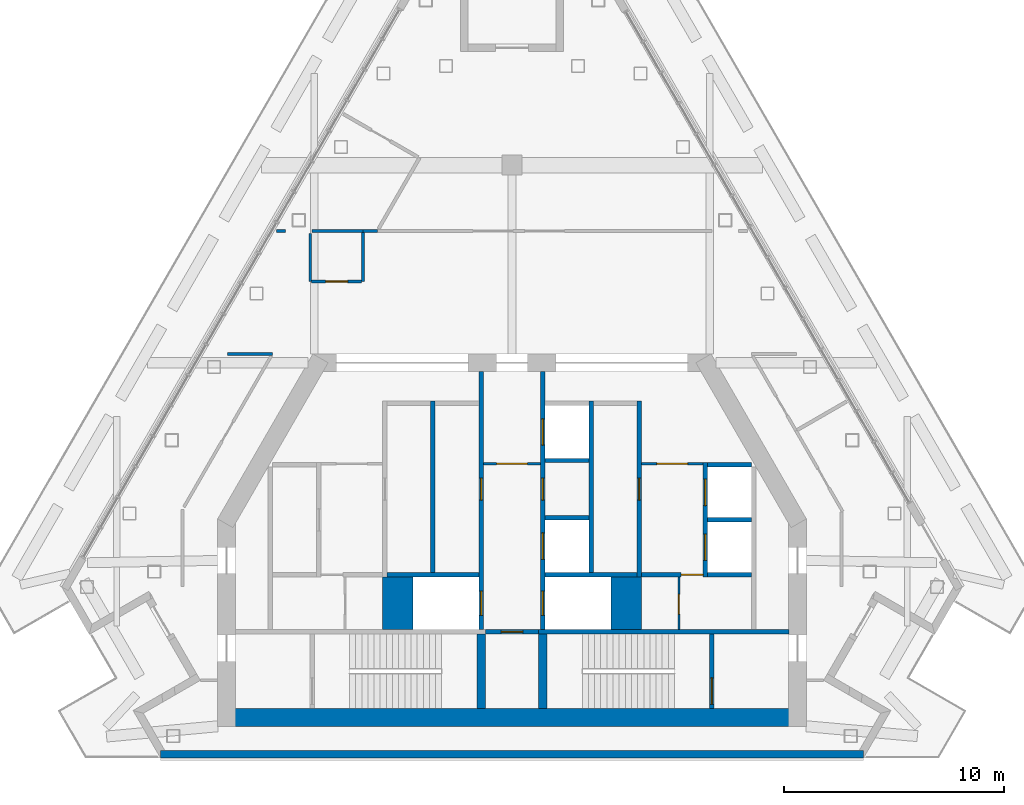
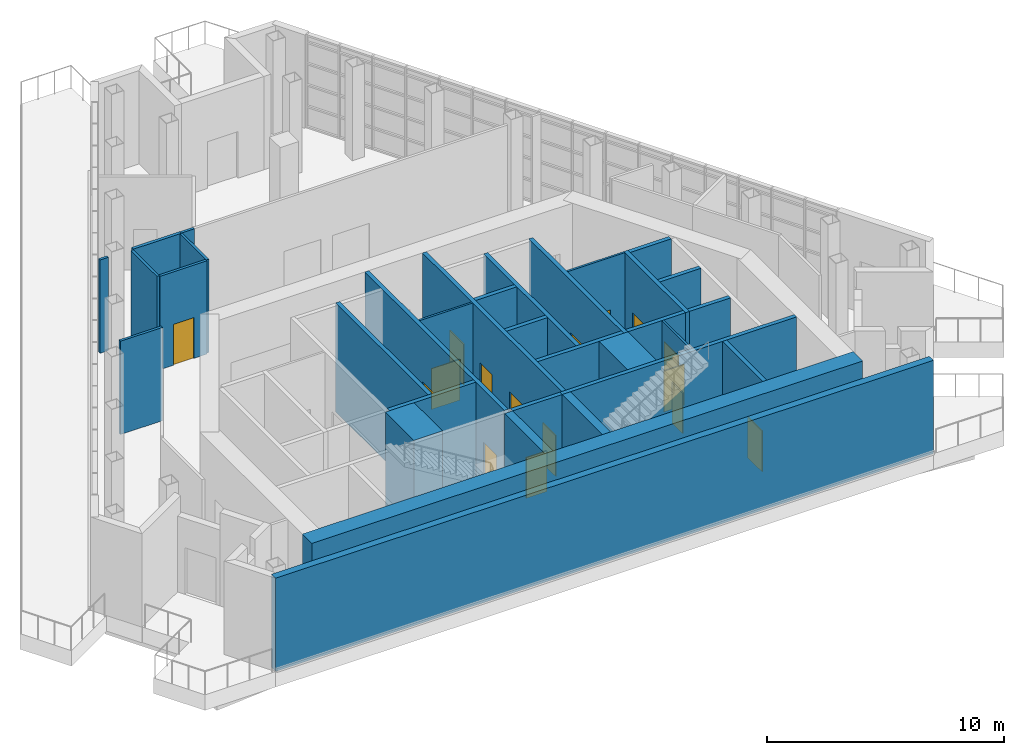
# One storey, part 11 of 15: 33 walls, 16 doors, 16 openings.
"""IFC4 building model written with IfcOpenShell, lengths in metres."""

import ifcopenshell
import ifcopenshell.guid

model = None  # the IFC model being written
_history = None  # IfcOwnerHistory: only IFC2X3 demands one
_inside = {}  # id of a spatial element -> (the spatial element, [elements in it])
_under = {}  # id of a project, library or spatial element -> (it, [spatial elements below it])
_declared = {}  # id of a project -> (the project, [libraries it declares])
_typed = {}  # id of a type object -> (the type object, [elements of that type])
_made_of = {}  # id of a material, layer set ... -> (it, [elements and type objects made of it])


def new_model(schema):
    """Start an empty IFC model of exactly this schema.

    Asked for "IFC4X3", IfcOpenShell would pick the latest addendum, in which some entities
    have other attributes; the version numbers below select the first issue.
    IFC2X3 requires an IfcOwnerHistory on every rooted entity: one is made here for all.
    """
    global model, _history
    if schema == "IFC4X3":
        model = ifcopenshell.file(schema_version=(4, 3, 0, 0))
    else:
        model = ifcopenshell.file(schema=schema)
    _inside.clear()
    _under.clear()
    _declared.clear()
    _typed.clear()
    _made_of.clear()
    _history = None
    if model.schema == "IFC2X3":
        org = make("IfcOrganization", Name="unknown")
        user = make(
            "IfcPersonAndOrganization",
            ThePerson=make("IfcPerson", FamilyName="unknown"),
            TheOrganization=org,
        )
        app = make(
            "IfcApplication",
            ApplicationDeveloper=org,
            Version="unknown",
            ApplicationFullName="unknown",
            ApplicationIdentifier="unknown",
        )
        _history = make(
            "IfcOwnerHistory",
            OwningUser=user,
            OwningApplication=app,
            ChangeAction="ADDED",
            CreationDate=0,
        )
    return model


def make(cls, **values):
    """One entity of the class cls with the attributes given. An attribute that is None is left unset."""
    return model.create_entity(
        cls, **{name: value for name, value in values.items() if value is not None}
    )


def rooted(cls, **values):
    """An entity with a GlobalId (a new one), such as an element, a storey or a relation."""
    return make(cls, GlobalId=ifcopenshell.guid.new(), OwnerHistory=_history, **values)


def si_unit(unit_type, name, prefix=None):
    """IfcSIUnit, for example si_unit("LENGTHUNIT", "METRE", prefix="MILLI")."""
    return make("IfcSIUnit", UnitType=unit_type, Prefix=prefix, Name=name)


def assignment(units):
    """IfcUnitAssignment: the units of a project."""
    return None if units is None else make("IfcUnitAssignment", Units=units)


def point(xyz):
    """IfcCartesianPoint."""
    return None if xyz is None else make("IfcCartesianPoint", Coordinates=xyz)


def direction(xyz):
    """IfcDirection."""
    return None if xyz is None else make("IfcDirection", DirectionRatios=xyz)


def frame(location, z_axis=None, x_axis=None):
    """IfcAxis2Placement3D, a coordinate frame: its origin and axes. An axis left out is left unset."""
    return make(
        "IfcAxis2Placement3D",
        Location=point(location),
        Axis=direction(z_axis),
        RefDirection=direction(x_axis),
    )


def frame_2d(location, x_axis=None):
    """IfcAxis2Placement2D, a coordinate frame in the plane: its origin and x axis."""
    return make(
        "IfcAxis2Placement2D", Location=point(location), RefDirection=direction(x_axis)
    )


def origin():
    """The frame at (0, 0, 0) with its axes left unset."""
    return frame((0.0, 0.0, 0.0))


def place(relative_to, where):
    """IfcLocalPlacement: puts the frame where relative to a parent placement (None: the world)."""
    return make(
        "IfcLocalPlacement", PlacementRelTo=relative_to, RelativePlacement=where
    )


def context(
    kind, dimensions, precision=None, world=None, true_north=None, identifier=None
):
    """IfcGeometricRepresentationContext, for example the 3D "Model" context."""
    return make(
        "IfcGeometricRepresentationContext",
        ContextIdentifier=identifier,
        ContextType=kind,
        CoordinateSpaceDimension=dimensions,
        Precision=precision,
        WorldCoordinateSystem=world,
        TrueNorth=true_north,
    )


def subcontext(parent, identifier, kind, view, scale=None):
    """IfcGeometricRepresentationSubContext, for example "Body" below "Model"."""
    return make(
        "IfcGeometricRepresentationSubContext",
        ContextIdentifier=identifier,
        ContextType=kind,
        ParentContext=parent,
        TargetScale=scale,
        TargetView=view,
    )


def project(units=None, contexts=None):
    """IfcProject with its units and contexts."""
    return rooted(
        "IfcProject",
        Name="project",
        RepresentationContexts=contexts,
        UnitsInContext=assignment(units),
    )


def spatial(cls, under=None, at=None, **own):
    """A site, building, storey or space (cls), placed at a placement, below another one or the project."""
    s = rooted(cls, ObjectPlacement=at, **own)
    if under is not None:
        _under.setdefault(under.id(), (under, []))[1].append(s)
    return s


def profile(cls, at=None, kind="AREA", **sizes):
    """A parametric profile (cls). Its sizes go by their IFC names, for example OverallWidth=200.0."""
    return make(cls, ProfileType=kind, Position=at, **sizes)


def rectangle(**sizes):
    """IfcRectangleProfileDef."""
    return profile("IfcRectangleProfileDef", **sizes)


def extrude(swept, where, along, depth):
    """IfcExtrudedAreaSolid: the profile swept, set in the frame where, extruded along a direction by depth."""
    return make(
        "IfcExtrudedAreaSolid",
        SweptArea=swept,
        Position=where,
        ExtrudedDirection=direction(along),
        Depth=depth,
    )


def shape(context_of_items, identifier, shape_type, items):
    """IfcShapeRepresentation: the items that make up one representation, for example the "Body"."""
    return make(
        "IfcShapeRepresentation",
        ContextOfItems=context_of_items,
        RepresentationIdentifier=identifier,
        RepresentationType=shape_type,
        Items=items,
    )


def material(Name=None, Category=None):
    """IfcMaterial."""
    return make("IfcMaterial", Name=Name, Category=Category)


def layer(
    of_material, thickness, ventilated=None, Name=None, Category=None, Priority=None
):
    """IfcMaterialLayer: one layer of a wall or slab, of a material (None: an air gap)."""
    return make(
        "IfcMaterialLayer",
        Material=of_material,
        LayerThickness=thickness,
        IsVentilated=ventilated,
        Name=Name,
        Category=Category,
        Priority=Priority,
    )


def layer_set(layers, Name=None):
    """IfcMaterialLayerSet."""
    return make("IfcMaterialLayerSet", MaterialLayers=layers, LayerSetName=Name)


def made_of(thing, what):
    """Note that an element or type object is made of a material, layer set ...; save() writes the relation."""
    if what is not None:
        _made_of.setdefault(what.id(), (what, []))[1].append(thing)
    return thing


def type_object(cls, material=None, **own):
    """A type object (cls), such as IfcWallType, which elements share."""
    return made_of(rooted(cls, **own), material)


def element(
    cls,
    number,
    at=None,
    inside=None,
    cuts=None,
    type_object=None,
    material=None,
    context=None,
    identifier="Body",
    shape_type=None,
    held_by="IfcProductDefinitionShape",
    body=None,
    shapes=None,
    **own,
):
    """One element of the class cls, such as IfcWall. Its Tag is "e" and its number.

    at: its placement. inside: the storey or other place that contains it. cuts: it is an
    opening in that element (IfcRelVoidsElement). A single representation is given by context,
    identifier, shape_type and body (its items); several are given by shapes. held_by: the class
    of the entity that holds the representations. save() writes the other relations.
    """
    e = rooted(cls, Tag="e%d" % number, ObjectPlacement=at, **own)
    if body is not None:
        shapes = [shape(context, identifier, shape_type, body)]
    if shapes is not None:
        e.Representation = make(held_by, Representations=shapes)
    if inside is not None:
        _inside.setdefault(inside.id(), (inside, []))[1].append(e)
    if cuts is not None:
        rooted(
            "IfcRelVoidsElement", RelatingBuildingElement=cuts, RelatedOpeningElement=e
        )
    if type_object is not None:
        _typed.setdefault(type_object.id(), (type_object, []))[1].append(e)
    return made_of(e, material)


def fill(opening, filler):
    """IfcRelFillsElement: the door or window that sits in an opening."""
    return rooted(
        "IfcRelFillsElement",
        RelatingOpeningElement=opening,
        RelatedBuildingElement=filler,
    )


def aggregate(whole, parts):
    """IfcRelAggregates: a whole, such as a stair, and the parts it consists of."""
    return rooted("IfcRelAggregates", RelatingObject=whole, RelatedObjects=parts)


def save(model, path):
    """Write the relations noted so far, then the file.

    IfcRelAggregates (storeys below a building ...), IfcRelContainedInSpatialStructure (elements
    in a storey), IfcRelDefinesByType, IfcRelAssociatesMaterial and IfcRelDeclares: one each for
    every whole, place, type object, material and project.
    """
    for whole, parts in _under.values():
        aggregate(whole, parts)
    for where, things in _inside.values():
        rooted(
            "IfcRelContainedInSpatialStructure",
            RelatedElements=things,
            RelatingStructure=where,
        )
    for kind, things in _typed.values():
        rooted("IfcRelDefinesByType", RelatedObjects=things, RelatingType=kind)
    for what, things in _made_of.values():
        rooted("IfcRelAssociatesMaterial", RelatedObjects=things, RelatingMaterial=what)
    for by, libraries in _declared.values():
        rooted("IfcRelDeclares", RelatingContext=by, RelatedDefinitions=libraries)
    model.write(path)


model = new_model("IFC4")

# Units and contexts
model_context = context("Model", 3, precision=1e-05, world=origin(), true_north=direction((0.0, 1.0)))
body_context = subcontext(model_context, "Body", "Model", "MODEL_VIEW")
ifc_project = project(units=[si_unit("LENGTHUNIT", "METRE"), si_unit("AREAUNIT", "SQUARE_METRE"), si_unit("VOLUMEUNIT", "CUBIC_METRE"), si_unit("PLANEANGLEUNIT", "RADIAN"), si_unit("MASSUNIT", "GRAM", prefix="KILO")], contexts=[model_context])

# Site, building, storey
site_placement = place(None, origin())
site = spatial("IfcSite", under=ifc_project, at=site_placement, CompositionType="ELEMENT")
building_placement = place(site_placement, origin())
building = spatial("IfcBuilding", under=site, at=building_placement, Name="Fogline Exchange Tower", CompositionType="ELEMENT")
storey_placement = place(building_placement, frame((0.0, 0.0, 344.699951171875)))
storey = spatial("IfcBuildingStorey", under=building, at=storey_placement, Name="L78", CompositionType="ELEMENT", Elevation=344.699951171875)

# Wall, opening, door
ifc_material_1 = material(Name="Blockwork partition", Category="masonry")
ifc_layer_1 = layer(ifc_material_1, 0.10009765625)
ifc_layer_set_1 = layer_set([ifc_layer_1], Name="CW10")
wall_type_1 = type_object("IfcWallType", Name="CW10", PredefinedType="PARTITIONING", material=ifc_layer_set_1)
wall_1_placement = place(storey_placement, frame((5.89990234375, 13.39990234375, 0.0), z_axis=(0.0, 0.0, 1.0), x_axis=(1.0, 0.0, 0.0)))
wall_1 = element("IfcWall", 1, at=wall_1_placement, inside=storey, type_object=wall_type_1, Name="Lift lobby partition", PredefinedType="PARTITIONING", context=body_context, shape_type="SweptSolid", body=[
    extrude(rectangle(XDim=2.800048828125, YDim=0.10009765625, at=frame_2d((1.39990234375, 0.0))), origin(), (0.0, 0.0, 1.0), 4.800048828125),
])
opening_1_placement = place(wall_1_placement, frame((0.699951171875, 0.0, 0.0)))
opening_1 = element("IfcOpeningElement", 2, at=opening_1_placement, cuts=wall_1, Name="Opening T26-C013", PredefinedType="OPENING", context=body_context, shape_type="SweptSolid", body=[
    extrude(rectangle(XDim=1.39990234375, YDim=2.10009765625, at=frame_2d((0.699951171875, 1.050048828125))), frame((0.0, 0.06005859375, 0.0), z_axis=(0.0, -1.0, 0.0), x_axis=(1.0, 0.0, 0.0)), (0.0, 0.0, 1.0), 0.1201171875),
])
ifc_material_2 = material(Name="Steel and timber fire door", Category="steel")
door_type_1 = type_object("IfcDoorType", Name="D-LB1", OperationType="DOUBLE_DOOR_SINGLE_SWING", PredefinedType="DOOR", material=ifc_material_2)
door_1_placement = place(opening_1_placement, frame((1.39990234375, 0.0, 0.0), z_axis=(0.0, 0.0, 1.0), x_axis=(-1.0, 0.0, 0.0)))
door_1 = element("IfcDoor", 3, at=door_1_placement, inside=storey, type_object=door_type_1, Name="Door to lift lobby", OperationType="DOUBLE_DOOR_SINGLE_SWING", OverallHeight=2.10009765625, OverallWidth=1.39990234375, PredefinedType="DOOR", context=body_context, shape_type="SweptSolid", body=[
    extrude(rectangle(XDim=1.39990234375, YDim=2.10009765625, at=frame_2d((0.699951171875, 1.050048828125))), frame((0.0, 0.02490234375, 0.0), z_axis=(0.0, -1.0, 0.0), x_axis=(1.0, 0.0, 0.0)), (0.0, 0.0, 1.0), 0.050048828125),
])
fill(opening_1, door_1)

wall_2_placement = place(storey_placement, frame((7.60009765625, 5.85009765625, 0.0), z_axis=(0.0, 0.0, 1.0), x_axis=(0.0, 1.0, 0.0)))
wall_2 = element("IfcWall", 4, at=wall_2_placement, inside=storey, type_object=wall_type_1, Name="WC partition", PredefinedType="PARTITIONING", context=body_context, shape_type="SweptSolid", body=[
    extrude(rectangle(XDim=2.39990234375, YDim=0.10009765625, at=frame_2d((1.199951171875, 0.0))), origin(), (0.0, 0.0, 1.0), 4.800048828125),
])
opening_2_placement = place(wall_2_placement, frame((0.699951171875, 0.0, 0.0)))
opening_2 = element("IfcOpeningElement", 5, at=opening_2_placement, cuts=wall_2, Name="Opening T26-C015", PredefinedType="OPENING", context=body_context, shape_type="SweptSolid", body=[
    extrude(rectangle(XDim=0.89990234375, YDim=2.10009765625, at=frame_2d((0.449951171875, 1.050048828125))), frame((0.0, 0.06005859375, 0.0), z_axis=(0.0, -1.0, 0.0), x_axis=(1.0, 0.0, 0.0)), (0.0, 0.0, 1.0), 0.1201171875),
])
door_type_2 = type_object("IfcDoorType", Name="D-CS1", OperationType="SINGLE_SWING_RIGHT", PredefinedType="DOOR", material=ifc_material_2)
door_2_placement = place(opening_2_placement, origin())
door_2 = element("IfcDoor", 6, at=door_2_placement, inside=storey, type_object=door_type_2, Name="Door to Cleaner's Store", OperationType="SINGLE_SWING_LEFT", OverallHeight=2.10009765625, OverallWidth=0.89990234375, PredefinedType="DOOR", context=body_context, shape_type="SweptSolid", body=[
    extrude(rectangle(XDim=0.89990234375, YDim=2.10009765625, at=frame_2d((0.449951171875, 1.050048828125))), frame((0.0, 0.02490234375, 0.0), z_axis=(0.0, -1.0, 0.0), x_axis=(1.0, 0.0, 0.0)), (0.0, 0.0, 1.0), 0.050048828125),
])
fill(opening_2, door_2)

wall_3_placement = place(storey_placement, frame((-1.300048828125, 13.39990234375, 0.0), z_axis=(0.0, 0.0, 1.0), x_axis=(1.0, 0.0, 0.0)))
wall_3 = element("IfcWall", 7, at=wall_3_placement, inside=storey, type_object=wall_type_1, Name="Lift lobby partition", PredefinedType="PARTITIONING", context=body_context, shape_type="SweptSolid", body=[
    extrude(rectangle(XDim=2.60009765625, YDim=0.10009765625, at=frame_2d((1.300048828125, 0.0))), origin(), (0.0, 0.0, 1.0), 4.800048828125),
])
opening_3_placement = place(wall_3_placement, frame((0.60009765625, 0.0, 0.0)))
opening_3 = element("IfcOpeningElement", 8, at=opening_3_placement, cuts=wall_3, Name="Opening T26-C019", PredefinedType="OPENING", context=body_context, shape_type="SweptSolid", body=[
    extrude(rectangle(XDim=1.39990234375, YDim=2.10009765625, at=frame_2d((0.699951171875, 1.050048828125))), frame((0.0, 0.06005859375, 0.0), z_axis=(0.0, -1.0, 0.0), x_axis=(1.0, 0.0, 0.0)), (0.0, 0.0, 1.0), 0.1201171875),
])
door_3_placement = place(opening_3_placement, origin())
door_3 = element("IfcDoor", 9, at=door_3_placement, inside=storey, type_object=door_type_1, Name="Door to firefighting lift lobby", OperationType="DOUBLE_DOOR_SINGLE_SWING", OverallHeight=2.10009765625, OverallWidth=1.39990234375, PredefinedType="DOOR", context=body_context, shape_type="SweptSolid", body=[
    extrude(rectangle(XDim=1.39990234375, YDim=2.10009765625, at=frame_2d((0.699951171875, 1.050048828125))), frame((0.0, 0.02490234375, 0.0), z_axis=(0.0, -1.0, 0.0), x_axis=(1.0, 0.0, 0.0)), (0.0, 0.0, 1.0), 0.050048828125),
])
fill(opening_3, door_3)

# Walls
ifc_material_3 = material(Name="Concrete C60", Category="concrete")
ifc_layer_2 = layer(ifc_material_3, 1.39990234375)
ifc_layer_set_2 = layer_set([ifc_layer_2], Name="CW140")
wall_type_2 = type_object("IfcWallType", Name="CW140", PredefinedType="SOLIDWALL", material=ifc_layer_set_2)
for number, where, z_axis, x_axis, name in (
    (10, (-5.199951171875, 5.85009765625, -0.800048828125), (0.0, 0.0, 1.0), (0.0, 1.0, 0.0), "Lift shaft block wall"),
    (11, (5.199951171875, 5.85009765625, -0.800048828125), (0.0, 0.0, 1.0), (0.0, 1.0, 0.0), "Lift shaft block wall"),
):
    element("IfcWall", number, at=place(storey_placement, frame(where, z_axis=z_axis, x_axis=x_axis)), inside=storey, type_object=wall_type_2, Name=name, PredefinedType="SOLIDWALL", context=body_context, shape_type="SweptSolid", body=[
        extrude(rectangle(XDim=2.39990234375, YDim=1.39990234375, at=frame_2d((1.199951171875, 0.0))), origin(), (0.0, 0.0, 1.0), 5.60009765625),
    ])

# Wall, opening, door
ifc_material_4 = material(Name="Concrete C40", Category="concrete")
ifc_layer_3 = layer(ifc_material_4, 0.199951171875)
ifc_layer_set_3 = layer_set([ifc_layer_3], Name="CW20")
wall_type_3 = type_object("IfcWallType", Name="CW20", PredefinedType="SOLIDWALL", material=ifc_layer_set_3)
wall_4_placement = place(storey_placement, frame((5.89990234375, 8.35009765625, 0.0), z_axis=(0.0, 0.0, 1.0), x_axis=(1.0, 0.0, 0.0)))
wall_4 = element("IfcWall", 12, at=wall_4_placement, inside=storey, type_object=wall_type_3, Name="WC wall", PredefinedType="SOLIDWALL", context=body_context, shape_type="SweptSolid", body=[
    extrude(rectangle(XDim=2.800048828125, YDim=0.199951171875, at=frame_2d((1.39990234375, 0.0))), origin(), (0.0, 0.0, 1.0), 4.800048828125),
])
opening_4_placement = place(wall_4_placement, frame((1.800048828125, 0.0, 0.0)))
opening_4 = element("IfcOpeningElement", 13, at=opening_4_placement, cuts=wall_4, Name="Opening T26-C014", PredefinedType="OPENING", context=body_context, shape_type="SweptSolid", body=[
    extrude(rectangle(XDim=1.0, YDim=2.10009765625, at=frame_2d((0.5, 1.050048828125))), frame((0.0, 0.10986328125, 0.0), z_axis=(0.0, -1.0, 0.0), x_axis=(1.0, 0.0, 0.0)), (0.0, 0.0, 1.0), 0.219970703125),
])
door_type_3 = type_object("IfcDoorType", Name="D-WC1", OperationType="SINGLE_SWING_LEFT", PredefinedType="DOOR", material=ifc_material_2)
door_4_placement = place(opening_4_placement, frame((1.0, 0.0, 0.0), z_axis=(0.0, 0.0, 1.0), x_axis=(-1.0, 0.0, 0.0)))
door_4 = element("IfcDoor", 14, at=door_4_placement, inside=storey, type_object=door_type_3, Name="Door to Women's WC", OperationType="SINGLE_SWING_LEFT", OverallHeight=2.10009765625, OverallWidth=1.0, PredefinedType="DOOR", context=body_context, shape_type="SweptSolid", body=[
    extrude(rectangle(XDim=1.0, YDim=2.10009765625, at=frame_2d((0.5, 1.050048828125))), frame((0.0, 0.02490234375, 0.0), z_axis=(0.0, -1.0, 0.0), x_axis=(1.0, 0.0, 0.0)), (0.0, 0.0, 1.0), 0.050048828125),
])
fill(opening_4, door_4)

ifc_layer_4 = layer(ifc_material_4, 0.199951171875)
ifc_layer_set_4 = layer_set([ifc_layer_4], Name="CW20R")
wall_type_4 = type_object("IfcWallType", Name="CW20R", PredefinedType="SOLIDWALL", material=ifc_layer_set_4)
wall_5_placement = place(storey_placement, frame((-1.199951171875, 5.75, -0.800048828125), z_axis=(0.0, 0.0, 1.0), x_axis=(1.0, 0.0, 0.0)))
wall_5 = element("IfcWall", 15, at=wall_5_placement, inside=storey, type_object=wall_type_4, Name="Stair enclosure wall", PredefinedType="SOLIDWALL", context=body_context, shape_type="SweptSolid", body=[
    extrude(rectangle(XDim=2.39990234375, YDim=0.199951171875, at=frame_2d((1.199951171875, 0.0))), origin(), (0.0, 0.0, 1.0), 5.60009765625),
])
opening_5_placement = place(wall_5_placement, frame((0.699951171875, 0.0, 0.800048828125)))
opening_5 = element("IfcOpeningElement", 16, at=opening_5_placement, cuts=wall_5, Name="Opening T26-C006", PredefinedType="OPENING", context=body_context, shape_type="SweptSolid", body=[
    extrude(rectangle(XDim=1.0, YDim=2.10009765625, at=frame_2d((0.5, 1.050048828125))), frame((0.0, 0.10986328125, 0.0), z_axis=(0.0, -1.0, 0.0), x_axis=(1.0, 0.0, 0.0)), (0.0, 0.0, 1.0), 0.219970703125),
])
door_type_4 = type_object("IfcDoorType", Name="D-RM1", OperationType="SINGLE_SWING_LEFT", PredefinedType="DOOR", material=ifc_material_2)
door_5_placement = place(opening_5_placement, frame((1.0, 0.0, 0.0), z_axis=(0.0, 0.0, 1.0), x_axis=(-1.0, 0.0, 0.0)))
door_5 = element("IfcDoor", 17, at=door_5_placement, inside=storey, type_object=door_type_4, Name="Door to Riser Room", OperationType="SINGLE_SWING_RIGHT", OverallHeight=2.10009765625, OverallWidth=1.0, PredefinedType="DOOR", context=body_context, shape_type="SweptSolid", body=[
    extrude(rectangle(XDim=1.0, YDim=2.10009765625, at=frame_2d((0.5, 1.050048828125))), frame((0.0, 0.02490234375, 0.0), z_axis=(0.0, -1.0, 0.0), x_axis=(1.0, 0.0, 0.0)), (0.0, 0.0, 1.0), 0.050048828125),
])
fill(opening_5, door_5)

# Wall
wall_6_placement = place(storey_placement, frame((1.199951171875, 5.75, -0.800048828125), z_axis=(0.0, 0.0, 1.0), x_axis=(1.0, 0.0, 0.0)))
element("IfcWall", 18, at=wall_6_placement, inside=storey, type_object=wall_type_4, Name="Stair enclosure wall", PredefinedType="SOLIDWALL", context=body_context, shape_type="SweptSolid", body=[
    extrude(rectangle(XDim=11.400146484375, YDim=0.199951171875, at=frame_2d((5.7001953125, 0.0))), origin(), (0.0, 0.0, 1.0), 5.60009765625),
])

# Wall, opening, door
wall_7_placement = place(storey_placement, frame((9.10009765625, 2.25, -0.800048828125), z_axis=(0.0, 0.0, 1.0), x_axis=(0.0, 1.0, 0.0)))
wall_7 = element("IfcWall", 19, at=wall_7_placement, inside=storey, type_object=wall_type_4, Name="Stair enclosure wall", PredefinedType="SOLIDWALL", context=body_context, shape_type="SweptSolid", body=[
    extrude(rectangle(XDim=3.39990234375, YDim=0.199951171875, at=frame_2d((1.699951171875, 0.0))), origin(), (0.0, 0.0, 1.0), 5.60009765625),
])
opening_6_placement = place(wall_7_placement, frame((0.199951171875, 0.0, 0.800048828125)))
opening_6 = element("IfcOpeningElement", 20, at=opening_6_placement, cuts=wall_7, Name="Opening T26-C017", PredefinedType="OPENING", context=body_context, shape_type="SweptSolid", body=[
    extrude(rectangle(XDim=1.199951171875, YDim=2.10009765625, at=frame_2d((0.60009765625, 1.050048828125))), frame((0.0, 0.10986328125, 0.0), z_axis=(0.0, -1.0, 0.0), x_axis=(1.0, 0.0, 0.0)), (0.0, 0.0, 1.0), 0.219970703125),
])
door_type_5 = type_object("IfcDoorType", Name="D-ST1", OperationType="SINGLE_SWING_LEFT", PredefinedType="DOOR", material=ifc_material_2)
door_6_placement = place(opening_6_placement, origin())
door_6 = element("IfcDoor", 21, at=door_6_placement, inside=storey, type_object=door_type_5, Name="Stair door ST2", OperationType="SINGLE_SWING_LEFT", OverallHeight=2.10009765625, OverallWidth=1.199951171875, PredefinedType="DOOR", context=body_context, shape_type="SweptSolid", body=[
    extrude(rectangle(XDim=1.199951171875, YDim=2.10009765625, at=frame_2d((0.60009765625, 1.050048828125))), frame((0.0, 0.02490234375, 0.0), z_axis=(0.0, -1.0, 0.0), x_axis=(1.0, 0.0, 0.0)), (0.0, 0.0, 1.0), 0.050048828125),
])
fill(opening_6, door_6)

# Wall, openings, doors
ifc_layer_5 = layer(ifc_material_4, 0.199951171875)
ifc_layer_set_5 = layer_set([ifc_layer_5], Name="CW20S")
wall_type_5 = type_object("IfcWallType", Name="CW20S", PredefinedType="SOLIDWALL", material=ifc_layer_set_5)
wall_8_placement = place(storey_placement, frame((8.800048828125, 8.25, -0.800048828125), z_axis=(0.0, 0.0, 1.0), x_axis=(0.0, 1.0, 0.0)))
wall_8 = element("IfcWall", 22, at=wall_8_placement, inside=storey, type_object=wall_type_5, Name="Lift shaft wall", PredefinedType="SOLIDWALL", context=body_context, shape_type="SweptSolid", body=[
    extrude(rectangle(XDim=5.199951171875, YDim=0.199951171875, at=frame_2d((2.60009765625, 0.0))), origin(), (0.0, 0.0, 1.0), 5.60009765625),
])
opening_7_placement = place(wall_8_placement, frame((0.75, 0.0, 0.800048828125)))
opening_7 = element("IfcOpeningElement", 23, at=opening_7_placement, cuts=wall_8, Name="Opening T26-LD02", PredefinedType="OPENING", context=body_context, shape_type="SweptSolid", body=[
    extrude(rectangle(XDim=1.199951171875, YDim=2.10009765625, at=frame_2d((0.60009765625, 1.050048828125))), frame((0.0, 0.10986328125, 0.0), z_axis=(0.0, -1.0, 0.0), x_axis=(1.0, 0.0, 0.0)), (0.0, 0.0, 1.0), 0.219970703125),
])
opening_8_placement = place(wall_8_placement, frame((3.25, 0.0, 0.800048828125)))
opening_8 = element("IfcOpeningElement", 24, at=opening_8_placement, cuts=wall_8, Name="Opening T26-LD03", PredefinedType="OPENING", context=body_context, shape_type="SweptSolid", body=[
    extrude(rectangle(XDim=1.199951171875, YDim=2.10009765625, at=frame_2d((0.60009765625, 1.050048828125))), frame((0.0, 0.10986328125, 0.0), z_axis=(0.0, -1.0, 0.0), x_axis=(1.0, 0.0, 0.0)), (0.0, 0.0, 1.0), 0.219970703125),
])
door_type_6 = type_object("IfcDoorType", Name="LD1", OperationType="SLIDING_TO_LEFT", PredefinedType="DOOR", material=ifc_material_2)
door_7_placement = place(opening_7_placement, origin())
door_7 = element("IfcDoor", 25, at=door_7_placement, inside=storey, type_object=door_type_6, Name="Landing door HR1", OperationType="SLIDING_TO_LEFT", OverallHeight=2.10009765625, OverallWidth=1.199951171875, PredefinedType="DOOR", context=body_context, shape_type="SweptSolid", body=[
    extrude(rectangle(XDim=1.199951171875, YDim=2.10009765625, at=frame_2d((0.60009765625, 1.050048828125))), frame((0.0, 0.02490234375, 0.0), z_axis=(0.0, -1.0, 0.0), x_axis=(1.0, 0.0, 0.0)), (0.0, 0.0, 1.0), 0.050048828125),
])
fill(opening_7, door_7)
door_8_placement = place(opening_8_placement, origin())
door_8 = element("IfcDoor", 26, at=door_8_placement, inside=storey, type_object=door_type_6, Name="Landing door HR2", OperationType="SLIDING_TO_LEFT", OverallHeight=2.10009765625, OverallWidth=1.199951171875, PredefinedType="DOOR", context=body_context, shape_type="SweptSolid", body=[
    extrude(rectangle(XDim=1.199951171875, YDim=2.10009765625, at=frame_2d((0.60009765625, 1.050048828125))), frame((0.0, 0.02490234375, 0.0), z_axis=(0.0, -1.0, 0.0), x_axis=(1.0, 0.0, 0.0)), (0.0, 0.0, 1.0), 0.050048828125),
])
fill(opening_8, door_8)

# Wall, opening, door
wall_9_placement = place(storey_placement, frame((5.800048828125, 8.25, -0.800048828125), z_axis=(0.0, 0.0, 1.0), x_axis=(0.0, 1.0, 0.0)))
wall_9 = element("IfcWall", 27, at=wall_9_placement, inside=storey, type_object=wall_type_5, Name="Lift shaft wall", PredefinedType="SOLIDWALL", context=body_context, shape_type="SweptSolid", body=[
    extrude(rectangle(XDim=8.0, YDim=0.199951171875, at=frame_2d((4.0, 0.0))), origin(), (0.0, 0.0, 1.0), 5.60009765625),
])
opening_9_placement = place(wall_9_placement, frame((3.5, 0.0, 0.800048828125)))
opening_9 = element("IfcOpeningElement", 28, at=opening_9_placement, cuts=wall_9, Name="Opening T26-C004", PredefinedType="OPENING", context=body_context, shape_type="SweptSolid", body=[
    extrude(rectangle(XDim=1.0, YDim=2.10009765625, at=frame_2d((0.5, 1.050048828125))), frame((0.0, 0.10986328125, 0.0), z_axis=(0.0, -1.0, 0.0), x_axis=(1.0, 0.0, 0.0)), (0.0, 0.0, 1.0), 0.219970703125),
])
door_9_placement = place(opening_9_placement, origin())
door_9 = element("IfcDoor", 29, at=door_9_placement, inside=storey, type_object=door_type_4, Name="Door to Trading Desk Annexe", OperationType="SINGLE_SWING_LEFT", OverallHeight=2.10009765625, OverallWidth=1.0, PredefinedType="DOOR", context=body_context, shape_type="SweptSolid", body=[
    extrude(rectangle(XDim=1.0, YDim=2.10009765625, at=frame_2d((0.5, 1.050048828125))), frame((0.0, 0.02490234375, 0.0), z_axis=(0.0, -1.0, 0.0), x_axis=(1.0, 0.0, 0.0)), (0.0, 0.0, 1.0), 0.050048828125),
])
fill(opening_9, door_9)

# Walls
for number, where, z_axis, x_axis, name in (
    (30, (-3.60009765625, 8.449951171875, -0.800048828125), (0.0, 0.0, 1.0), (0.0, 1.0, 0.0), "Lift shaft wall"),
    (31, (3.60009765625, 8.449951171875, -0.800048828125), (0.0, 0.0, 1.0), (0.0, 1.0, 0.0), "Lift shaft wall"),
):
    element("IfcWall", number, at=place(storey_placement, frame(where, z_axis=z_axis, x_axis=x_axis)), inside=storey, type_object=wall_type_5, Name=name, PredefinedType="SOLIDWALL", context=body_context, shape_type="SweptSolid", body=[
        extrude(rectangle(XDim=7.800048828125, YDim=0.199951171875, at=frame_2d((3.89990234375, 0.0))), origin(), (0.0, 0.0, 1.0), 5.60009765625),
    ])

# Wall, openings, doors
wall_10_placement = place(storey_placement, frame((-1.39990234375, 5.85009765625, -0.800048828125), z_axis=(0.0, 0.0, 1.0), x_axis=(0.0, 1.0, 0.0)))
wall_10 = element("IfcWall", 32, at=wall_10_placement, inside=storey, type_object=wall_type_5, Name="Lift lobby wall", PredefinedType="SOLIDWALL", context=body_context, shape_type="SweptSolid", body=[
    extrude(rectangle(XDim=11.75, YDim=0.199951171875, at=frame_2d((5.875, 0.0))), origin(), (0.0, 0.0, 1.0), 5.60009765625),
])
opening_10_placement = place(wall_10_placement, frame((0.64990234375, 0.0, 0.800048828125)))
opening_10 = element("IfcOpeningElement", 33, at=opening_10_placement, cuts=wall_10, Name="Opening T26-LD01", PredefinedType="OPENING", context=body_context, shape_type="SweptSolid", body=[
    extrude(rectangle(XDim=1.10009765625, YDim=2.10009765625, at=frame_2d((0.550048828125, 1.050048828125))), frame((0.0, 0.10986328125, 0.0), z_axis=(0.0, -1.0, 0.0), x_axis=(1.0, 0.0, 0.0)), (0.0, 0.0, 1.0), 0.219970703125),
])
opening_11_placement = place(wall_10_placement, frame((5.89990234375, 0.0, 0.800048828125)))
opening_11 = element("IfcOpeningElement", 34, at=opening_11_placement, cuts=wall_10, Name="Opening T26-C003", PredefinedType="OPENING", context=body_context, shape_type="SweptSolid", body=[
    extrude(rectangle(XDim=1.0, YDim=2.10009765625, at=frame_2d((0.5, 1.050048828125))), frame((0.0, 0.10986328125, 0.0), z_axis=(0.0, -1.0, 0.0), x_axis=(1.0, 0.0, 0.0)), (0.0, 0.0, 1.0), 0.219970703125),
])
door_10_placement = place(opening_11_placement, origin())
door_10 = element("IfcDoor", 35, at=door_10_placement, inside=storey, type_object=door_type_4, Name="Door to Records Hall", OperationType="SINGLE_SWING_LEFT", OverallHeight=2.10009765625, OverallWidth=1.0, PredefinedType="DOOR", context=body_context, shape_type="SweptSolid", body=[
    extrude(rectangle(XDim=1.0, YDim=2.10009765625, at=frame_2d((0.5, 1.050048828125))), frame((0.0, 0.02490234375, 0.0), z_axis=(0.0, -1.0, 0.0), x_axis=(1.0, 0.0, 0.0)), (0.0, 0.0, 1.0), 0.050048828125),
])
fill(opening_11, door_10)
door_type_7 = type_object("IfcDoorType", Name="LD2", OperationType="SLIDING_TO_RIGHT", PredefinedType="DOOR", material=ifc_material_2)
door_11_placement = place(opening_10_placement, origin())
door_11 = element("IfcDoor", 36, at=door_11_placement, inside=storey, type_object=door_type_7, Name="Landing door FF1", OperationType="SLIDING_TO_RIGHT", OverallHeight=2.10009765625, OverallWidth=1.10009765625, PredefinedType="DOOR", context=body_context, shape_type="SweptSolid", body=[
    extrude(rectangle(XDim=1.10009765625, YDim=2.10009765625, at=frame_2d((0.550048828125, 1.050048828125))), frame((0.0, 0.02490234375, 0.0), z_axis=(0.0, -1.0, 0.0), x_axis=(1.0, 0.0, 0.0)), (0.0, 0.0, 1.0), 0.050048828125),
])
fill(opening_10, door_11)

wall_11_placement = place(storey_placement, frame((1.39990234375, 5.85009765625, -0.800048828125), z_axis=(0.0, 0.0, 1.0), x_axis=(0.0, 1.0, 0.0)))
wall_11 = element("IfcWall", 37, at=wall_11_placement, inside=storey, type_object=wall_type_5, Name="Lift lobby wall", PredefinedType="SOLIDWALL", context=body_context, shape_type="SweptSolid", body=[
    extrude(rectangle(XDim=11.75, YDim=0.199951171875, at=frame_2d((5.875, 0.0))), origin(), (0.0, 0.0, 1.0), 5.60009765625),
])
opening_12_placement = place(wall_11_placement, frame((3.199951171875, 0.0, 0.800048828125)))
opening_12 = element("IfcOpeningElement", 38, at=opening_12_placement, cuts=wall_11, Name="Opening T26-LD04", PredefinedType="OPENING", context=body_context, shape_type="SweptSolid", body=[
    extrude(rectangle(XDim=1.199951171875, YDim=2.10009765625, at=frame_2d((0.60009765625, 1.050048828125))), frame((0.0, 0.10986328125, 0.0), z_axis=(0.0, -1.0, 0.0), x_axis=(1.0, 0.0, 0.0)), (0.0, 0.0, 1.0), 0.219970703125),
])
opening_13_placement = place(wall_11_placement, frame((8.39990234375, 0.0, 0.800048828125)))
opening_13 = element("IfcOpeningElement", 39, at=opening_13_placement, cuts=wall_11, Name="Opening T26-LD05", PredefinedType="OPENING", context=body_context, shape_type="SweptSolid", body=[
    extrude(rectangle(XDim=1.199951171875, YDim=2.10009765625, at=frame_2d((0.60009765625, 1.050048828125))), frame((0.0, 0.10986328125, 0.0), z_axis=(0.0, -1.0, 0.0), x_axis=(1.0, 0.0, 0.0)), (0.0, 0.0, 1.0), 0.219970703125),
])
opening_14_placement = place(wall_11_placement, frame((0.64990234375, 0.0, 0.800048828125)))
opening_14 = element("IfcOpeningElement", 40, at=opening_14_placement, cuts=wall_11, Name="Opening T26-LD06", PredefinedType="OPENING", context=body_context, shape_type="SweptSolid", body=[
    extrude(rectangle(XDim=1.10009765625, YDim=2.10009765625, at=frame_2d((0.550048828125, 1.050048828125))), frame((0.0, 0.10986328125, 0.0), z_axis=(0.0, -1.0, 0.0), x_axis=(1.0, 0.0, 0.0)), (0.0, 0.0, 1.0), 0.219970703125),
])
opening_15_placement = place(wall_11_placement, frame((5.89990234375, 0.0, 0.800048828125)))
opening_15 = element("IfcOpeningElement", 41, at=opening_15_placement, cuts=wall_11, Name="Opening T26-C005", PredefinedType="OPENING", context=body_context, shape_type="SweptSolid", body=[
    extrude(rectangle(XDim=1.0, YDim=2.10009765625, at=frame_2d((0.5, 1.050048828125))), frame((0.0, 0.10986328125, 0.0), z_axis=(0.0, -1.0, 0.0), x_axis=(1.0, 0.0, 0.0)), (0.0, 0.0, 1.0), 0.219970703125),
])
door_12_placement = place(opening_15_placement, frame((1.0, 0.0, 0.0), z_axis=(0.0, 0.0, 1.0), x_axis=(-1.0, 0.0, 0.0)))
door_12 = element("IfcDoor", 42, at=door_12_placement, inside=storey, type_object=door_type_4, Name="Door to Cable Store", OperationType="SINGLE_SWING_RIGHT", OverallHeight=2.10009765625, OverallWidth=1.0, PredefinedType="DOOR", context=body_context, shape_type="SweptSolid", body=[
    extrude(rectangle(XDim=1.0, YDim=2.10009765625, at=frame_2d((0.5, 1.050048828125))), frame((0.0, 0.02490234375, 0.0), z_axis=(0.0, -1.0, 0.0), x_axis=(1.0, 0.0, 0.0)), (0.0, 0.0, 1.0), 0.050048828125),
])
fill(opening_15, door_12)
door_13_placement = place(opening_12_placement, origin())
door_13 = element("IfcDoor", 43, at=door_13_placement, inside=storey, type_object=door_type_6, Name="Landing door HR3", OperationType="SLIDING_TO_LEFT", OverallHeight=2.10009765625, OverallWidth=1.199951171875, PredefinedType="DOOR", context=body_context, shape_type="SweptSolid", body=[
    extrude(rectangle(XDim=1.199951171875, YDim=2.10009765625, at=frame_2d((0.60009765625, 1.050048828125))), frame((0.0, 0.02490234375, 0.0), z_axis=(0.0, -1.0, 0.0), x_axis=(1.0, 0.0, 0.0)), (0.0, 0.0, 1.0), 0.050048828125),
])
fill(opening_12, door_13)
door_14_placement = place(opening_13_placement, origin())
door_14 = element("IfcDoor", 44, at=door_14_placement, inside=storey, type_object=door_type_6, Name="Landing door OB1", OperationType="SLIDING_TO_LEFT", OverallHeight=2.10009765625, OverallWidth=1.199951171875, PredefinedType="DOOR", context=body_context, shape_type="SweptSolid", body=[
    extrude(rectangle(XDim=1.199951171875, YDim=2.10009765625, at=frame_2d((0.60009765625, 1.050048828125))), frame((0.0, 0.02490234375, 0.0), z_axis=(0.0, -1.0, 0.0), x_axis=(1.0, 0.0, 0.0)), (0.0, 0.0, 1.0), 0.050048828125),
])
fill(opening_13, door_14)
door_15_placement = place(opening_14_placement, origin())
door_15 = element("IfcDoor", 45, at=door_15_placement, inside=storey, type_object=door_type_7, Name="Landing door FF2", OperationType="SLIDING_TO_RIGHT", OverallHeight=2.10009765625, OverallWidth=1.10009765625, PredefinedType="DOOR", context=body_context, shape_type="SweptSolid", body=[
    extrude(rectangle(XDim=1.10009765625, YDim=2.10009765625, at=frame_2d((0.550048828125, 1.050048828125))), frame((0.0, 0.02490234375, 0.0), z_axis=(0.0, -1.0, 0.0), x_axis=(1.0, 0.0, 0.0)), (0.0, 0.0, 1.0), 0.050048828125),
])
fill(opening_14, door_15)

# Walls
wall_12_placement = place(storey_placement, frame((8.89990234375, 8.35009765625, -0.800048828125), z_axis=(0.0, 0.0, 1.0), x_axis=(1.0, 0.0, 0.0)))
element("IfcWall", 46, at=wall_12_placement, inside=storey, type_object=wall_type_5, Name="Lift shaft wall", PredefinedType="SOLIDWALL", context=body_context, shape_type="SweptSolid", body=[
    extrude(rectangle(XDim=2.0, YDim=0.199951171875, at=frame_2d((1.0, 0.0))), origin(), (0.0, 0.0, 1.0), 5.60009765625),
])
for number, where, z_axis, x_axis, name in (
    (47, (-5.699951171875, 8.35009765625, -0.800048828125), (0.0, 0.0, 1.0), (1.0, 0.0, 0.0), "Lift shaft wall"),
    (48, (1.5, 8.35009765625, -0.800048828125), (0.0, 0.0, 1.0), (1.0, 0.0, 0.0), "Lift shaft wall"),
):
    element("IfcWall", number, at=place(storey_placement, frame(where, z_axis=z_axis, x_axis=x_axis)), inside=storey, type_object=wall_type_5, Name=name, PredefinedType="SOLIDWALL", context=body_context, shape_type="SweptSolid", body=[
        extrude(rectangle(XDim=4.199951171875, YDim=0.199951171875, at=frame_2d((2.10009765625, 0.0))), origin(), (0.0, 0.0, 1.0), 5.60009765625),
    ])
for number, where, z_axis, x_axis, name in (
    (49, (8.89990234375, 10.85009765625, -0.800048828125), (0.0, 0.0, 1.0), (1.0, 0.0, 0.0), "Lift shaft wall"),
    (50, (8.89990234375, 13.35009765625, -0.800048828125), (0.0, 0.0, 1.0), (1.0, 0.0, 0.0), "Lift shaft wall"),
    (51, (1.5, 10.949951171875, -0.800048828125), (0.0, 0.0, 1.0), (1.0, 0.0, 0.0), "Lift shaft wall"),
    (52, (1.5, 13.550048828125, -0.800048828125), (0.0, 0.0, 1.0), (1.0, 0.0, 0.0), "Lift shaft wall"),
):
    element("IfcWall", number, at=place(storey_placement, frame(where, z_axis=z_axis, x_axis=x_axis)), inside=storey, type_object=wall_type_5, Name=name, PredefinedType="SOLIDWALL", context=body_context, shape_type="SweptSolid", body=[
        extrude(rectangle(XDim=2.0, YDim=0.199951171875, at=frame_2d((1.0, 0.0))), origin(), (0.0, 0.0, 1.0), 5.60009765625),
    ])
ifc_layer_6 = layer(ifc_material_4, 0.39990234375)
ifc_layer_set_6 = layer_set([ifc_layer_6], Name="CW40R")
wall_type_6 = type_object("IfcWallType", Name="CW40R", PredefinedType="SOLIDWALL", material=ifc_layer_set_6)
for number, where, z_axis, x_axis, name in (
    (53, (-1.39990234375, 2.25, -0.800048828125), (0.0, 0.0, 1.0), (0.0, 1.0, 0.0), "Stair and lift shaft wall"),
    (54, (1.39990234375, 2.25, -0.800048828125), (0.0, 0.0, 1.0), (0.0, 1.0, 0.0), "Stair and lift shaft wall"),
):
    element("IfcWall", number, at=place(storey_placement, frame(where, z_axis=z_axis, x_axis=x_axis)), inside=storey, type_object=wall_type_6, Name=name, PredefinedType="SOLIDWALL", context=body_context, shape_type="SweptSolid", body=[
        extrude(rectangle(XDim=3.39990234375, YDim=0.39990234375, at=frame_2d((1.699951171875, 0.0))), origin(), (0.0, 0.0, 1.0), 5.60009765625),
    ])
ifc_material_5 = material(Name="Brick masonry", Category="masonry")
ifc_layer_7 = layer(ifc_material_5, 0.340087890625)
ifc_layer_set_7 = layer_set([ifc_layer_7], Name="FW1")
wall_type_7 = type_object("IfcWallType", Name="FW1", PredefinedType="SOLIDWALL", material=ifc_layer_set_7)
wall_13_placement = place(storey_placement, frame((-16.0, 0.169921875, 0.0), z_axis=(0.0, 0.0, 1.0), x_axis=(1.0, 0.0, 0.0)))
element("IfcWall", 55, at=wall_13_placement, inside=storey, type_object=wall_type_7, Name="Brick wall L78 S", PredefinedType="SOLIDWALL", context=body_context, shape_type="SweptSolid", body=[
    extrude(rectangle(XDim=32.0, YDim=0.340087890625, at=frame_2d((16.0, 0.0))), origin(), (0.0, 0.0, 1.0), 4.800048828125),
])
ifc_material_6 = material(Name="Plasterboard corridor partition with mineral wool, 2 layers each side")
ifc_layer_8 = layer(ifc_material_6, 0.125)
ifc_layer_set_8 = layer_set([ifc_layer_8], Name="PW2")
wall_type_8 = type_object("IfcWallType", Name="PW2", PredefinedType="PARTITIONING", material=ifc_layer_set_8)
wall_14_placement = place(storey_placement, frame((-10.720947265625, 24.0, 0.0), z_axis=(0.0, 0.0, 1.0), x_axis=(1.0, 0.0, 0.0)))
element("IfcWall", 56, at=wall_14_placement, inside=storey, type_object=wall_type_8, Name="wall-L78-W004", PredefinedType="PARTITIONING", context=body_context, shape_type="SweptSolid", body=[
    extrude(rectangle(XDim=0.414794921875, YDim=0.125, at=frame_2d((0.20751953125, 0.0))), origin(), (0.0, 0.0, 1.0), 4.800048828125),
])
wall_15_placement = place(storey_placement, frame((-6.7841796875, 24.0, 0.0), z_axis=(0.0, 0.0, 1.0), x_axis=(1.0, 0.0, 0.0)))
element("IfcWall", 57, at=wall_15_placement, inside=storey, type_object=wall_type_8, Name="wall-L78-W005", PredefinedType="PARTITIONING", context=body_context, shape_type="SweptSolid", body=[
    extrude(rectangle(XDim=0.652099609375, YDim=0.125, at=frame_2d((0.326171875, 0.0))), origin(), (0.0, 0.0, 1.0), 4.800048828125),
])
wall_16_placement = place(storey_placement, frame((-9.18408203125, 23.8896484375, 0.0), z_axis=(0.0, 0.0, 1.0), x_axis=(0.0, -1.0, 0.0)))
element("IfcWall", 58, at=wall_16_placement, inside=storey, type_object=wall_type_8, Name="wall-L78-W006", PredefinedType="PARTITIONING", context=body_context, shape_type="SweptSolid", body=[
    extrude(rectangle(XDim=2.189697265625, YDim=0.125, at=frame_2d((1.0947265625, 0.0))), origin(), (0.0, 0.0, 1.0), 4.800048828125),
])

# Wall, opening, door
wall_17_placement = place(storey_placement, frame((-9.12158203125, 21.699951171875, 0.0), z_axis=(0.0, 0.0, 1.0), x_axis=(1.0, 0.0, 0.0)))
wall_17 = element("IfcWall", 59, at=wall_17_placement, inside=storey, type_object=wall_type_8, Name="wall-L78-W007", PredefinedType="PARTITIONING", context=body_context, shape_type="SweptSolid", body=[
    extrude(rectangle(XDim=2.27490234375, YDim=0.125, at=frame_2d((1.137451171875, 0.0))), origin(), (0.0, 0.0, 1.0), 4.800048828125),
])
opening_16_placement = place(wall_17_placement, frame((0.637451171875, 0.0, 0.0)))
opening_16 = element("IfcOpeningElement", 60, at=opening_16_placement, cuts=wall_17, Name="Opening T26-D003", PredefinedType="OPENING", context=body_context, shape_type="SweptSolid", body=[
    extrude(rectangle(XDim=1.0, YDim=2.10009765625, at=frame_2d((0.5, 1.050048828125))), frame((0.0, 0.072509765625, 0.0), z_axis=(0.0, -1.0, 0.0), x_axis=(1.0, 0.0, 0.0)), (0.0, 0.0, 1.0), 0.14501953125),
])
ifc_material_7 = material(Name="Fire-rated timber door leaf with steel frame", Category="steel")
door_type_8 = type_object("IfcDoorType", Name="D3", OperationType="SINGLE_SWING_LEFT", PredefinedType="DOOR", material=ifc_material_7)
door_16_placement = place(opening_16_placement, origin())
door_16 = element("IfcDoor", 61, at=door_16_placement, inside=storey, type_object=door_type_8, Name="door-L78-D003", OperationType="SINGLE_SWING_LEFT", OverallHeight=2.10009765625, OverallWidth=1.0, PredefinedType="DOOR", context=body_context, shape_type="SweptSolid", body=[
    extrude(rectangle(XDim=1.0, YDim=2.10009765625, at=frame_2d((0.5, 1.050048828125))), frame((0.0, 0.02490234375, 0.0), z_axis=(0.0, -1.0, 0.0), x_axis=(1.0, 0.0, 0.0)), (0.0, 0.0, 1.0), 0.050048828125),
])
fill(opening_16, door_16)

# Walls
wall_18_placement = place(storey_placement, frame((-6.7841796875, 21.699951171875, 0.0), z_axis=(0.0, 0.0, 1.0), x_axis=(0.0, 1.0, 0.0)))
element("IfcWall", 62, at=wall_18_placement, inside=storey, type_object=wall_type_8, Name="wall-L78-W008", PredefinedType="PARTITIONING", context=body_context, shape_type="SweptSolid", body=[
    extrude(rectangle(XDim=2.22509765625, YDim=0.125, at=frame_2d((1.112548828125, 0.0))), origin(), (0.0, 0.0, 1.0), 4.800048828125),
])
wall_19_placement = place(storey_placement, frame((-10.91259765625, 18.39990234375, 0.0), z_axis=(0.0, 0.0, 1.0), x_axis=(-1.0, 0.0, 0.0)))
element("IfcWall", 63, at=wall_19_placement, inside=storey, type_object=wall_type_8, Name="wall-L78-W009", PredefinedType="PARTITIONING", context=body_context, shape_type="SweptSolid", body=[
    extrude(rectangle(XDim=2.04931640625, YDim=0.125, at=frame_2d((1.024658203125, 0.0))), origin(), (0.0, 0.0, 1.0), 4.800048828125),
])
ifc_material_8 = material(Name="Plasterboard demising partition with mineral wool and acoustic board")
ifc_layer_9 = layer(ifc_material_8, 0.14990234375)
ifc_layer_set_9 = layer_set([ifc_layer_9], Name="PW3")
wall_type_9 = type_object("IfcWallType", Name="PW3", PredefinedType="PARTITIONING", material=ifc_layer_set_9)
wall_20_placement = place(storey_placement, frame((-6.7841796875, 24.0, 0.0), z_axis=(0.0, 0.0, 1.0), x_axis=(-1.0, 0.0, 0.0)))
element("IfcWall", 64, at=wall_20_placement, inside=storey, type_object=wall_type_9, Name="wall-L78-W020", PredefinedType="PARTITIONING", context=body_context, shape_type="SweptSolid", body=[
    extrude(rectangle(XDim=2.322021484375, YDim=0.14990234375, at=frame_2d((1.1611328125, 0.0))), origin(), (0.0, 0.0, 1.0), 4.800048828125),
])
ifc_material_9 = material(Name="Concrete C50", Category="concrete")
ifc_layer_10 = layer(ifc_material_9, 0.800048828125)
ifc_layer_set_10 = layer_set([ifc_layer_10], Name="SW04")
wall_type_10 = type_object("IfcWallType", Name="SW04", PredefinedType="SHEAR", material=ifc_layer_set_10)
wall_21_placement = place(storey_placement, frame((-13.39990234375, 1.85009765625, 0.0), z_axis=(0.0, 0.0, 1.0), x_axis=(1.0, 0.0, 0.0)))
element("IfcWall", 65, at=wall_21_placement, inside=storey, type_object=wall_type_10, Name="L78-W901", PredefinedType="SHEAR", context=body_context, shape_type="SweptSolid", body=[
    extrude(rectangle(XDim=26.7998046875, YDim=0.800048828125, at=frame_2d((13.39990234375, 0.0))), origin(), (0.0, 0.0, 1.0), 4.800048828125),
])

save(model, "model.ifc")
